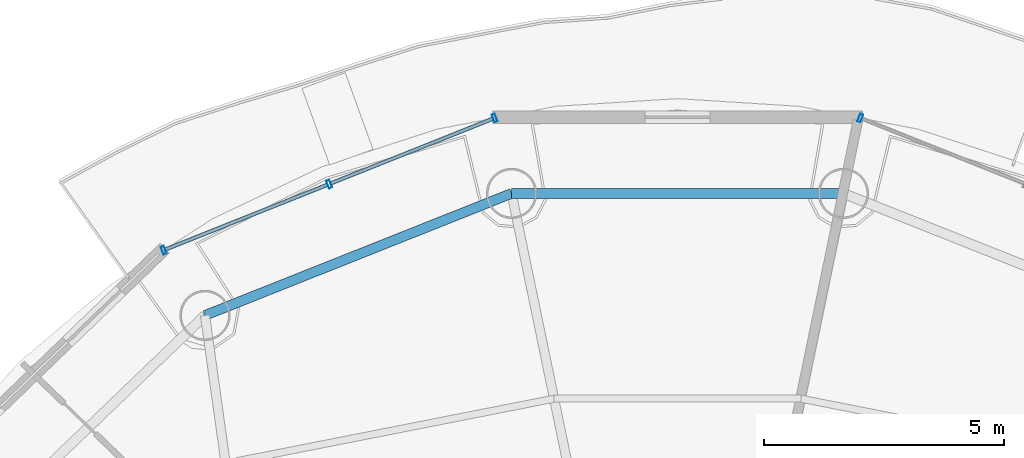
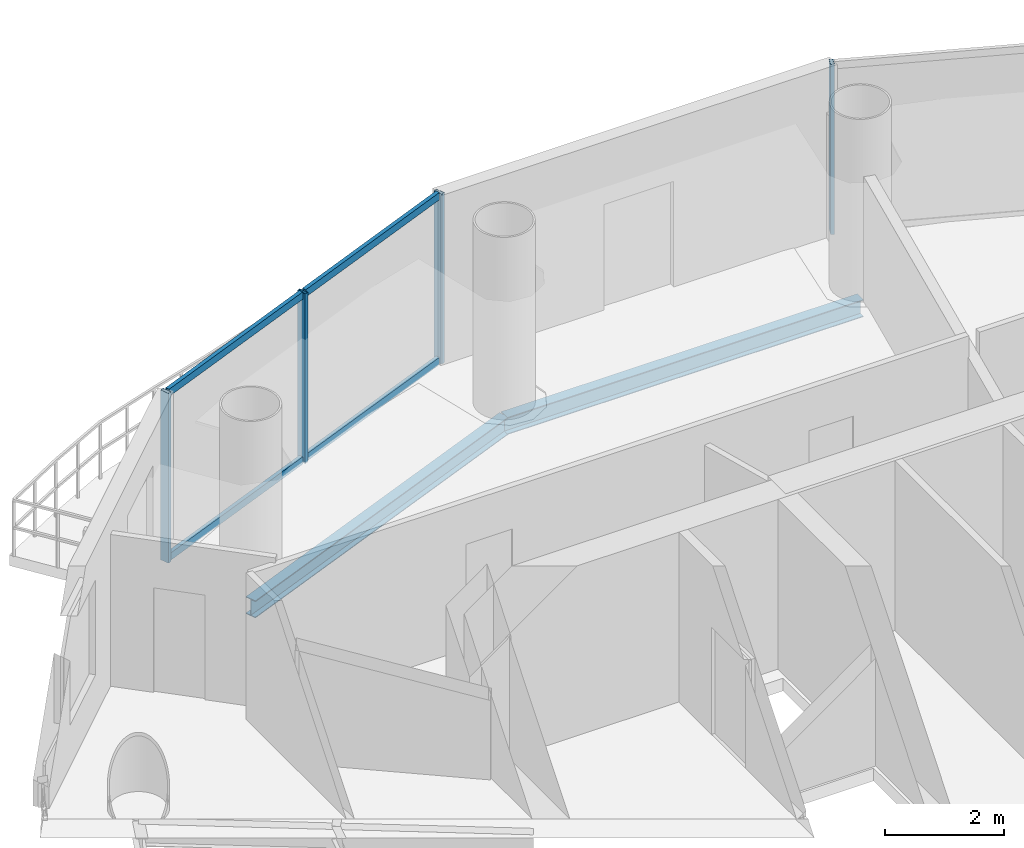
# One storey, part 12 of 22: 8 members, 2 beams, 2 elements without a shape of their own.
"""IFC4 building model written with IfcOpenShell, lengths in metres."""

from ifc_helpers import new_model, si_unit, direction, frame, origin, origin_2d, place, context, subcontext, project, spatial, hollow_rectangle, i_section, extrude, source, transform, mapped, material, material_profile, profile_set, type_object, element, aggregate, save


model = new_model("IFC4")

# Units and contexts
model_context = context("Model", 3, precision=1e-05, world=origin(), true_north=direction((-0.2419218956, 0.970295726276)))
body_context = subcontext(model_context, "Body", "Model", "MODEL_VIEW")
ifc_project = project(units=[si_unit("LENGTHUNIT", "METRE"), si_unit("AREAUNIT", "SQUARE_METRE"), si_unit("VOLUMEUNIT", "CUBIC_METRE"), si_unit("PLANEANGLEUNIT", "RADIAN"), si_unit("MASSUNIT", "GRAM", prefix="KILO")], contexts=[model_context])

# Site, building, storey
site_placement = place(None, origin())
site = spatial("IfcSite", under=ifc_project, at=site_placement, CompositionType="ELEMENT")
building_placement = place(site_placement, origin())
building = spatial("IfcBuilding", under=site, at=building_placement, Name="Cobrevalo Terracotta Tower", CompositionType="ELEMENT")
storey_placement = place(building_placement, frame((0.0, 0.0, 289.449951171875)))
storey = spatial("IfcBuildingStorey", under=building, at=storey_placement, Name="L76", CompositionType="ELEMENT", Elevation=289.449951171875)

# Beams
ifc_material_1 = material(Name="Steel S355", Category="steel")
ifc_material_profile_1 = material_profile(ifc_material_1, i_section(OverallWidth=0.205078125, OverallDepth=0.35400390625, WebThickness=0.009521484375, FlangeThickness=0.016845703125, at=origin_2d()), Name="W 360x79")
ifc_profile_set_1 = profile_set([ifc_material_profile_1], Name="Steel S355")
beam_type = type_object("IfcBeamType", Name="Structural Spandrel W 360x79 (Steel S355)", PredefinedType="SPANDREL", material=ifc_profile_set_1)
beam_1_placement = place(storey_placement, frame((41.462890625, 43.5224609375, -0.43701171875), z_axis=(-1.0, 0.0, 0.0), x_axis=(0.0, -1.0, 0.0)))
element("IfcBeam", 1, at=beam_1_placement, inside=storey, type_object=beam_type, Name="L76 perimeter ring spandrel 04", PredefinedType="SPANDREL", context=body_context, shape_type="SweptSolid", body=[
    extrude(i_section(OverallWidth=0.205078125, OverallDepth=0.35400390625, WebThickness=0.009521484375, FlangeThickness=0.016845703125, at=origin_2d()), origin(), (0.0, 0.0, 1.0), 6.92578125),
])
beam_2_placement = place(storey_placement, frame((34.537109375, 43.5224609375, -0.43701171875), z_axis=(-0.929149986048, -0.369702993533, 0.0), x_axis=(0.369702993533, -0.929149986048, 0.0)))
element("IfcBeam", 2, at=beam_2_placement, inside=storey, type_object=beam_type, Name="L76 perimeter ring spandrel 05", PredefinedType="SPANDREL", context=body_context, shape_type="SweptSolid", body=[
    extrude(i_section(OverallWidth=0.205078125, OverallDepth=0.35400390625, WebThickness=0.009521484375, FlangeThickness=0.016845703125, at=origin_2d()), origin(), (0.0, 0.0, 1.0), 6.88623046875),
])

# Curtain wall, member
ifc_material_2 = material(Name="Anodized aluminium", Category="aluminium")
curtain_wall_type = type_object("IfcCurtainWallType", Name="Upper-tower triple-glazed penthouse curtain wall CW-U3", PredefinedType="NOTDEFINED", material=ifc_material_2)
curtain_wall_1_placement = place(storey_placement, origin())
curtain_wall_1 = element("IfcCurtainWall", 3, at=curtain_wall_1_placement, inside=storey, type_object=curtain_wall_type, Name="L76 curtain wall CW-L76-S03", PredefinedType="NOTDEFINED")
ifc_material_profile_2 = material_profile(ifc_material_2, hollow_rectangle(XDim=0.070068359375, YDim=0.169921875, WallThickness=0.00439453125, at=origin_2d()), Name="CWM 70x170")
ifc_profile_set_2 = profile_set([ifc_material_profile_2], Name="Anodized aluminium")
member_type_1 = type_object("IfcMemberType", Name="Upper tower unitised mullion 70x170", PredefinedType="MULLION", material=ifc_profile_set_2)
shared_shape_1 = source(origin(), body_context, "Body", "SweptSolid", [
    extrude(hollow_rectangle(XDim=0.070068359375, YDim=0.169921875, WallThickness=0.00439453125, at=origin_2d()), origin(), (0.0, 0.0, 1.0), 3.489990234375),
])
member_1_placement = place(storey_placement, frame((41.816162109375, 45.096435546875, 0.0), z_axis=(0.0, 0.0, 1.0), x_axis=(-0.928718980883, 0.370784377433, 0.0)))
member_1 = element("IfcMember", 4, at=member_1_placement, type_object=member_type_1, Name="CW-L76-S03 vertical mullion 03", PredefinedType="MULLION", context=body_context, shape_type="MappedRepresentation", body=[
    mapped(shared_shape_1, transform((0.0, 0.0, 0.0), scale=1.0)),
])
aggregate(curtain_wall_1, [member_1])

# Curtain wall, members
curtain_wall_2_placement = place(storey_placement, origin())
curtain_wall_2 = element("IfcCurtainWall", 5, at=curtain_wall_2_placement, inside=storey, type_object=curtain_wall_type, Name="L76 curtain wall CW-L76-S05", PredefinedType="NOTDEFINED")
member_2_placement = place(storey_placement, frame((34.183837890625, 45.096435546875, 0.0), z_axis=(0.0, 0.0, 1.0), x_axis=(-0.928718980883, -0.370784377433, 0.0)))
member_2 = element("IfcMember", 6, at=member_2_placement, type_object=member_type_1, Name="CW-L76-S05 vertical mullion 01", PredefinedType="MULLION", context=body_context, shape_type="MappedRepresentation", body=[
    mapped(shared_shape_1, transform((0.0, 0.0, 0.0), scale=1.0)),
])
member_3_placement = place(storey_placement, frame((30.729736328125, 43.71728515625, 0.0), z_axis=(0.0, 0.0, 1.0), x_axis=(-0.928718980883, -0.370784377433, 0.0)))
member_3 = element("IfcMember", 7, at=member_3_placement, type_object=member_type_1, Name="CW-L76-S05 vertical mullion 02", PredefinedType="MULLION", context=body_context, shape_type="MappedRepresentation", body=[
    mapped(shared_shape_1, transform((0.0, 0.0, 0.0), scale=1.0)),
])
member_4_placement = place(storey_placement, frame((27.275634765625, 42.33837890625, 0.0), z_axis=(0.0, 0.0, 1.0), x_axis=(-0.928718980883, -0.370784377433, 0.0)))
member_4 = element("IfcMember", 8, at=member_4_placement, type_object=member_type_1, Name="CW-L76-S05 vertical mullion 03", PredefinedType="MULLION", context=body_context, shape_type="MappedRepresentation", body=[
    mapped(shared_shape_1, transform((0.0, 0.0, 0.0), scale=1.0)),
])
ifc_material_profile_3 = material_profile(ifc_material_2, hollow_rectangle(XDim=0.074951171875, YDim=0.14990234375, WallThickness=0.00439453125, at=origin_2d()), Name="CWT 75x150")
ifc_profile_set_3 = profile_set([ifc_material_profile_3], Name="Anodized aluminium")
member_type_2 = type_object("IfcMemberType", Name="Tower unitised aluminium transom 75x150", PredefinedType="USERDEFINED", material=ifc_profile_set_3)
shared_shape_2 = source(origin(), body_context, "Body", "SweptSolid", [
    extrude(hollow_rectangle(XDim=0.074951171875, YDim=0.14990234375, WallThickness=0.00439453125, at=origin_2d()), origin(), (0.0, 0.0, 1.0), 3.63916015625),
])
member_5_placement = place(storey_placement, frame((34.146728515625, 45.08154296875, 0.050048828125), z_axis=(-0.928712471544, -0.370800681227, 0.0), x_axis=(0.370800681227, -0.928712471544, 0.0)))
member_5 = element("IfcMember", 9, at=member_5_placement, type_object=member_type_2, Name="CW-L76-S05 transom B01-T1", ObjectType="TRANSOM", PredefinedType="USERDEFINED", context=body_context, shape_type="MappedRepresentation", body=[
    mapped(shared_shape_2, transform((0.0, 0.0, 0.0), scale=1.0)),
])
member_6_placement = place(storey_placement, frame((34.146728515625, 45.08154296875, 3.43994140625), z_axis=(-0.928712471544, -0.370800681227, 0.0), x_axis=(0.370800681227, -0.928712471544, 0.0)))
member_6 = element("IfcMember", 10, at=member_6_placement, type_object=member_type_2, Name="CW-L76-S05 transom B01-T2", ObjectType="TRANSOM", PredefinedType="USERDEFINED", context=body_context, shape_type="MappedRepresentation", body=[
    mapped(shared_shape_2, transform((0.0, 0.0, 0.0), scale=1.0)),
])
member_7_placement = place(storey_placement, frame((30.692626953125, 43.70263671875, 0.050048828125), z_axis=(-0.928712471544, -0.370800681227, 0.0), x_axis=(0.370800681227, -0.928712471544, 0.0)))
member_7 = element("IfcMember", 11, at=member_7_placement, type_object=member_type_2, Name="CW-L76-S05 transom B02-T1", ObjectType="TRANSOM", PredefinedType="USERDEFINED", context=body_context, shape_type="MappedRepresentation", body=[
    mapped(shared_shape_2, transform((0.0, 0.0, 0.0), scale=1.0)),
])
member_8_placement = place(storey_placement, frame((30.692626953125, 43.70263671875, 3.43994140625), z_axis=(-0.928712471544, -0.370800681227, 0.0), x_axis=(0.370800681227, -0.928712471544, 0.0)))
member_8 = element("IfcMember", 12, at=member_8_placement, type_object=member_type_2, Name="CW-L76-S05 transom B02-T2", ObjectType="TRANSOM", PredefinedType="USERDEFINED", context=body_context, shape_type="MappedRepresentation", body=[
    mapped(shared_shape_2, transform((0.0, 0.0, 0.0), scale=1.0)),
])
aggregate(curtain_wall_2, [member_2, member_3, member_4, member_5, member_6, member_7, member_8])

save(model, "model.ifc")
